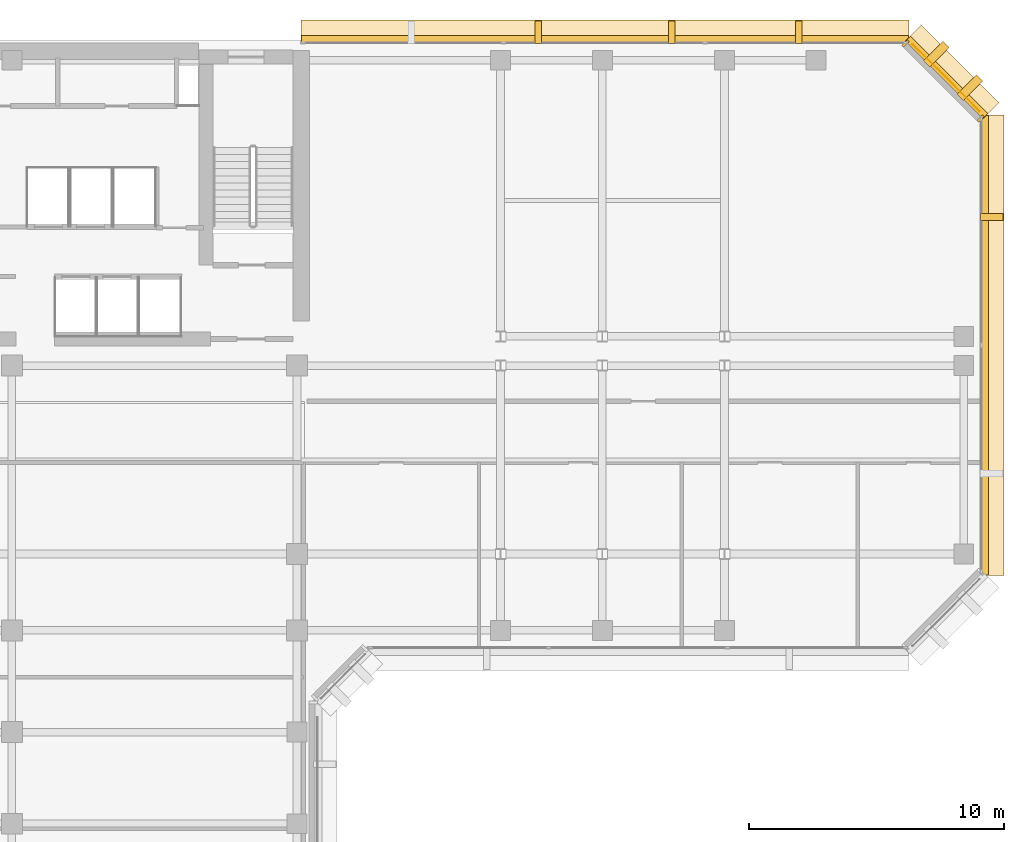
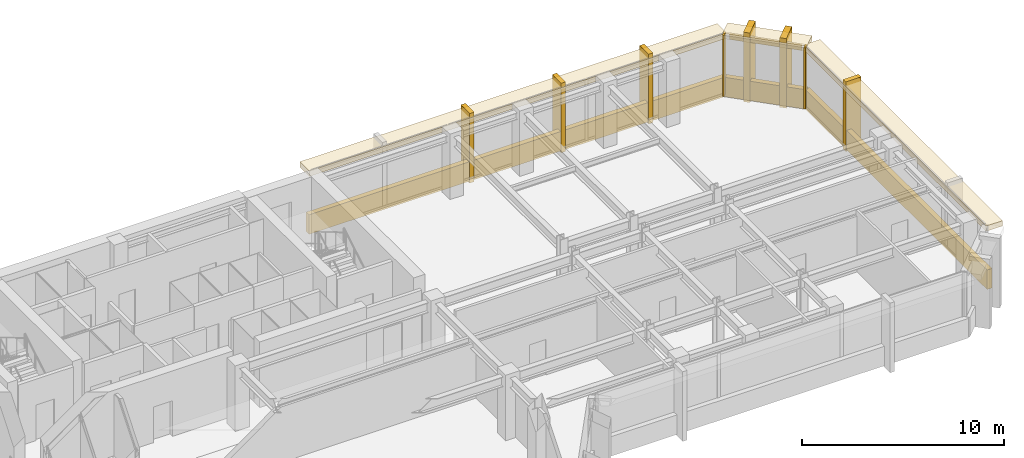
# One storey, part 11 of 11: 15 coverings.
"""IFC4 building model written with IfcOpenShell, lengths in metres."""

from ifc_helpers import new_model, si_unit, direction, frame, origin, origin_2d, place, context, subcontext, project, spatial, rectangle, extrude, material, layer, layer_set, type_object, element, save


model = new_model("IFC4")

# Units and contexts
model_context = context("Model", 3, precision=1e-05, world=origin(), true_north=direction((0.0, 1.0)))
body_context = subcontext(model_context, "Body", "Model", "MODEL_VIEW")
ifc_project = project(units=[si_unit("LENGTHUNIT", "METRE"), si_unit("AREAUNIT", "SQUARE_METRE"), si_unit("VOLUMEUNIT", "CUBIC_METRE"), si_unit("PLANEANGLEUNIT", "RADIAN"), si_unit("MASSUNIT", "GRAM", prefix="KILO")], contexts=[model_context])

# Site, building, storey
site_placement = place(None, origin())
site = spatial("IfcSite", under=ifc_project, at=site_placement, CompositionType="ELEMENT")
building_placement = place(site_placement, origin())
building = spatial("IfcBuilding", under=site, at=building_placement, Name="Kefirva Bronze Tower", CompositionType="ELEMENT")
storey_placement = place(building_placement, frame((0.0, 0.0, 191.39990234375)))
storey = spatial("IfcBuildingStorey", under=building, at=storey_placement, Name="L46", CompositionType="ELEMENT", Elevation=191.39990234375)

# Coverings
ifc_material = material(Name="Bronze anodised aluminium", Category="aluminium")
ifc_layer_1 = layer(ifc_material, 0.02001953125, Name="Bronze anodised aluminium")
ifc_layer_set_1 = layer_set([ifc_layer_1], Name="Bronze anodised aluminium")
covering_type_1 = type_object("IfcCoveringType", Name="Anodised Bronze Spandrel Cladding 20mm", PredefinedType="CLADDING", material=ifc_layer_set_1)
covering_1_placement = place(storey_placement, frame((50.239990234375, 34.0, -0.15966796875), z_axis=(0.0, 0.0, 1.0), x_axis=(0.0, 1.0, 0.0)))
element("IfcCovering", 1, at=covering_1_placement, inside=storey, type_object=covering_type_1, Name="L46 Streamline Horizontal Spandrel Band 6", PredefinedType="CLADDING", context=body_context, shape_type="SweptSolid", body=[
    extrude(rectangle(XDim=18.0400390625, YDim=0.280029296875, at=origin_2d()), origin(), (0.0, 0.0, 1.0), 1.179931640625),
])
covering_2_placement = place(storey_placement, frame((48.70703125, 44.507080078125, 3.2900390625), z_axis=(0.0, 0.0, 1.0), x_axis=(-0.707106781187, 0.707106781187, 0.0)))
element("IfcCovering", 2, at=covering_2_placement, inside=storey, type_object=covering_type_1, Name="L46 Bronze Spandrel Cladding 6", PredefinedType="CLADDING", context=body_context, shape_type="SweptSolid", body=[
    extrude(rectangle(XDim=3.719482421875, YDim=0.02001953125, at=origin_2d()), origin(), (0.0, 0.0, 1.0), 0.39990234375),
])
for number, where, z_axis, x_axis, name in (
    (3, (50.06201171875, 42.91162109375, 0.0), (0.0, 0.0, 1.0), (-0.707106781187, 0.707106781187, 0.0), "L46 Facade Joint Closure Panel 6S"),
    (4, (47.11181640625, 45.862060546875, 0.0), (0.0, 0.0, 1.0), (-0.707106781187, 0.707106781187, 0.0), "L46 Facade Joint Closure Panel 6E"),
):
    element("IfcCovering", number, at=place(storey_placement, frame(where, z_axis=z_axis, x_axis=x_axis)), inside=storey, type_object=covering_type_1, Name=name, PredefinedType="CLADDING", context=body_context, shape_type="SweptSolid", body=[
        extrude(rectangle(XDim=0.10009765625, YDim=0.320068359375, at=origin_2d()), origin(), (0.0, 0.0, 1.0), 3.7099609375),
    ])
covering_3_placement = place(storey_placement, frame((48.728271484375, 44.5283203125, -0.15966796875), z_axis=(0.0, 0.0, 1.0), x_axis=(-0.707106781187, 0.707106781187, 0.0)))
element("IfcCovering", 5, at=covering_3_placement, inside=storey, type_object=covering_type_1, Name="L46 Streamline Horizontal Spandrel Band 7", PredefinedType="CLADDING", context=body_context, shape_type="SweptSolid", body=[
    extrude(rectangle(XDim=4.28271484375, YDim=0.280029296875, at=origin_2d()), origin(), (0.0, 0.0, 1.0), 1.179931640625),
])
covering_4_placement = place(storey_placement, frame((35.302490234375, 46.0400390625, -0.15966796875), z_axis=(0.0, 0.0, 1.0), x_axis=(-1.0, 0.0, 0.0)))
element("IfcCovering", 6, at=covering_4_placement, inside=storey, type_object=covering_type_1, Name="L46 Streamline Horizontal Spandrel Band 8", PredefinedType="CLADDING", context=body_context, shape_type="SweptSolid", body=[
    extrude(rectangle(XDim=23.8349609375, YDim=0.280029296875, at=origin_2d()), origin(), (0.0, 0.0, 1.0), 1.179931640625),
])
ifc_layer_2 = layer(ifc_material, 0.179931640625, Name="Bronze anodised aluminium")
ifc_layer_set_2 = layer_set([ifc_layer_2], Name="Bronze anodised aluminium")
covering_type_2 = type_object("IfcCoveringType", Name="Streamline Bronze Sunshade Eyebrow Cladding 180mm", PredefinedType="CLADDING", material=ifc_layer_set_2)
covering_5_placement = place(storey_placement, frame((50.510009765625, 34.0, 3.39013671875), z_axis=(0.0, 0.0, 1.0), x_axis=(0.0, 1.0, 0.0)))
element("IfcCovering", 7, at=covering_5_placement, inside=storey, type_object=covering_type_2, Name="L46 Streamline Bronze Sunshade Eyebrow 6", PredefinedType="CLADDING", context=body_context, shape_type="SweptSolid", body=[
    extrude(rectangle(XDim=18.080078125, YDim=0.93994140625, at=origin_2d()), origin(), (0.0, 0.0, 1.0), 0.320068359375),
])
covering_6_placement = place(storey_placement, frame((48.919189453125, 44.71923828125, 3.39013671875), z_axis=(0.0, 0.0, 1.0), x_axis=(-0.707106781187, 0.707106781187, 0.0)))
element("IfcCovering", 8, at=covering_6_placement, inside=storey, type_object=covering_type_2, Name="L46 Streamline Bronze Sunshade Eyebrow 7", PredefinedType="CLADDING", context=body_context, shape_type="SweptSolid", body=[
    extrude(rectangle(XDim=4.322509765625, YDim=0.93994140625, at=origin_2d()), origin(), (0.0, 0.0, 1.0), 0.320068359375),
])
covering_7_placement = place(storey_placement, frame((35.302490234375, 46.31005859375, 3.39013671875), z_axis=(0.0, 0.0, 1.0), x_axis=(-1.0, 0.0, 0.0)))
element("IfcCovering", 9, at=covering_7_placement, inside=storey, type_object=covering_type_2, Name="L46 Streamline Bronze Sunshade Eyebrow 8", PredefinedType="CLADDING", context=body_context, shape_type="SweptSolid", body=[
    extrude(rectangle(XDim=23.875, YDim=0.93994140625, at=origin_2d()), origin(), (0.0, 0.0, 1.0), 0.320068359375),
])
ifc_layer_3 = layer(ifc_material, 0.260009765625, Name="Bronze anodised aluminium")
ifc_layer_set_3 = layer_set([ifc_layer_3], Name="Bronze anodised aluminium")
covering_type_3 = type_object("IfcCoveringType", Name="Unbroken Bronze Buttress Fin Cladding 260mm", PredefinedType="CLADDING", material=ifc_layer_set_3)
covering_8_placement = place(storey_placement, frame((50.5, 39.0400390625, -0.25), z_axis=(0.0, 0.0, 1.0), x_axis=(0.0, 1.0, 0.0)))
element("IfcCovering", 10, at=covering_8_placement, inside=storey, type_object=covering_type_3, Name="L46 Unbroken Vertical Bronze Rib Fin 12", PredefinedType="CLADDING", context=body_context, shape_type="SweptSolid", body=[
    extrude(rectangle(XDim=0.260009765625, YDim=0.8798828125, at=origin_2d()), origin(), (0.0, 0.0, 1.0), 4.2099609375),
])
for number, where, z_axis, x_axis, name in (
    (11, (49.642822265625, 44.122802734375, -0.25), (0.0, 0.0, 1.0), (-0.707106781187, 0.707106781187, 0.0), "L46 Chamfered Corner Buttress Fin Cladding 13"),
    (12, (48.32275390625, 45.44287109375, -0.25), (0.0, 0.0, 1.0), (-0.707106781187, 0.707106781187, 0.0), "L46 Chamfered Corner Buttress Fin Cladding 14"),
):
    element("IfcCovering", number, at=place(storey_placement, frame(where, z_axis=z_axis, x_axis=x_axis)), inside=storey, type_object=covering_type_3, Name=name, PredefinedType="CLADDING", context=body_context, shape_type="SweptSolid", body=[
        extrude(rectangle(XDim=0.340087890625, YDim=1.080078125, at=origin_2d()), origin(), (0.0, 0.0, 1.0), 4.2099609375),
    ])
for number, where, z_axis, x_axis, name in (
    (13, (42.9169921875, 46.300048828125, -0.25), (0.0, 0.0, 1.0), (-1.0, 0.0, 0.0), "L46 Unbroken Vertical Bronze Rib Fin 15"),
    (14, (37.919921875, 46.300048828125, -0.25), (0.0, 0.0, 1.0), (-1.0, 0.0, 0.0), "L46 Unbroken Vertical Bronze Rib Fin 16"),
    (15, (32.68505859375, 46.300048828125, -0.25), (0.0, 0.0, 1.0), (-1.0, 0.0, 0.0), "L46 Unbroken Vertical Bronze Rib Fin 17"),
):
    element("IfcCovering", number, at=place(storey_placement, frame(where, z_axis=z_axis, x_axis=x_axis)), inside=storey, type_object=covering_type_3, Name=name, PredefinedType="CLADDING", context=body_context, shape_type="SweptSolid", body=[
        extrude(rectangle(XDim=0.260009765625, YDim=0.8798828125, at=origin_2d()), origin(), (0.0, 0.0, 1.0), 4.2099609375),
    ])

save(model, "model.ifc")
